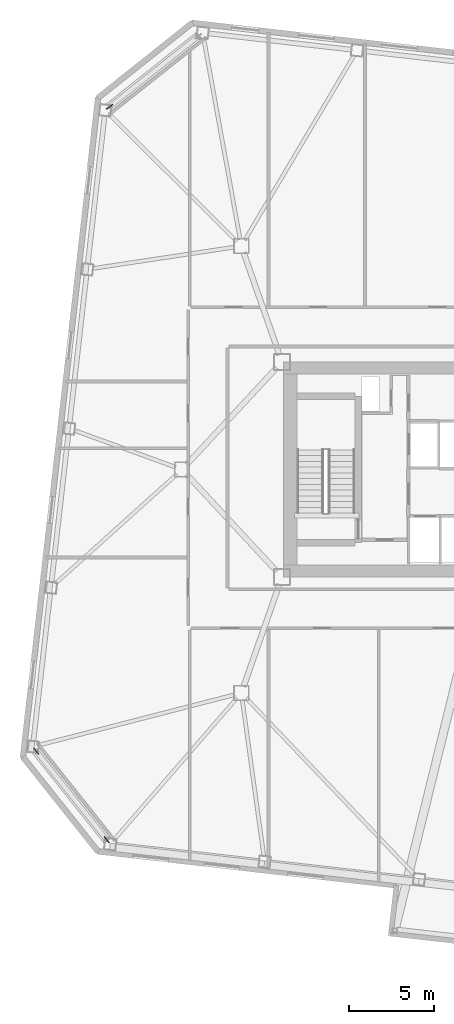
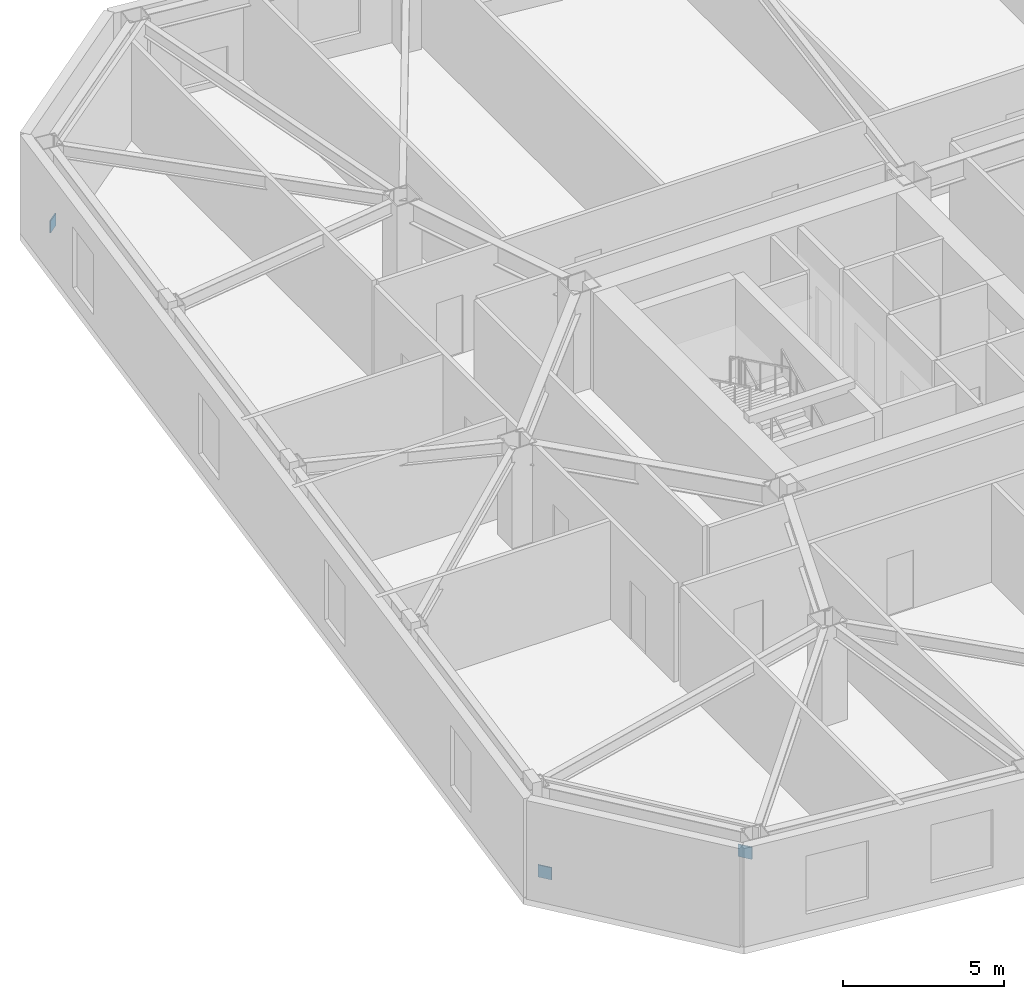
# One storey, part 15 of 19: 3 discrete accessories.
"""IFC4 building model written with IfcOpenShell, lengths in metres."""

from ifc_helpers import new_model, si_unit, direction, frame, origin, origin_2d, place, context, subcontext, project, spatial, rectangle, extrude, material, type_object, element, save


model = new_model("IFC4")

# Units and contexts
model_context = context("Model", 3, precision=1e-05, world=origin(), true_north=direction((0.0, 1.0)))
body_context = subcontext(model_context, "Body", "Model", "MODEL_VIEW")
ifc_project = project(units=[si_unit("LENGTHUNIT", "METRE"), si_unit("AREAUNIT", "SQUARE_METRE"), si_unit("VOLUMEUNIT", "CUBIC_METRE"), si_unit("PLANEANGLEUNIT", "RADIAN"), si_unit("MASSUNIT", "GRAM", prefix="KILO")], contexts=[model_context])

# Site, building, storey
site_placement = place(None, origin())
site = spatial("IfcSite", under=ifc_project, at=site_placement, CompositionType="ELEMENT")
building_placement = place(site_placement, origin())
building = spatial("IfcBuilding", under=site, at=building_placement, Name="Tavrogorsk Clinical Tower", CompositionType="ELEMENT")
storey_placement = place(building_placement, frame((0.0, 0.0, 97.39990234375)))
storey = spatial("IfcBuildingStorey", under=building, at=storey_placement, Name="L21", CompositionType="ELEMENT", Elevation=97.39990234375)

# Discrete accessories
ifc_material = material(Name="Structural steel S440", Category="steel")
discrete_accessory_type = type_object("IfcDiscreteAccessoryType", Name="GussetPlateBracket_25", PredefinedType="BRACKET", material=ifc_material)
for number, where, z_axis, x_axis, name in (
    (1, (-32.27587890625, 21.431884765625, 0.195068359375), (0.0, 0.0, 1.0), (0.782608156852, 0.622514636638, 0.0), "L21 Brace Gusset Plate EXOCRN-L21-3-A"),
    (2, (-36.613037109375, -16.63623046875, 0.195068359375), (0.0, 0.0, 1.0), (0.622514636638, -0.782608156852, 0.0), "L21 Brace Gusset Plate EXOCRN-L21-4-A"),
    (3, (-32.452880859375, -21.866455078125, 2.68505859375), (0.0, 0.0, 1.0), (0.622514636638, -0.782608156852, 0.0), "L21 Brace Gusset Plate EXOCRN-L21-4-B"),
):
    element("IfcDiscreteAccessory", number, at=place(storey_placement, frame(where, z_axis=z_axis, x_axis=x_axis)), inside=storey, type_object=discrete_accessory_type, Name=name, PredefinedType="BRACKET", context=body_context, shape_type="SweptSolid", body=[
        extrude(rectangle(XDim=0.4599609375, YDim=0.0400390625, at=origin_2d()), origin(), (0.0, 0.0, 1.0), 0.4599609375),
    ])

save(model, "model.ifc")
